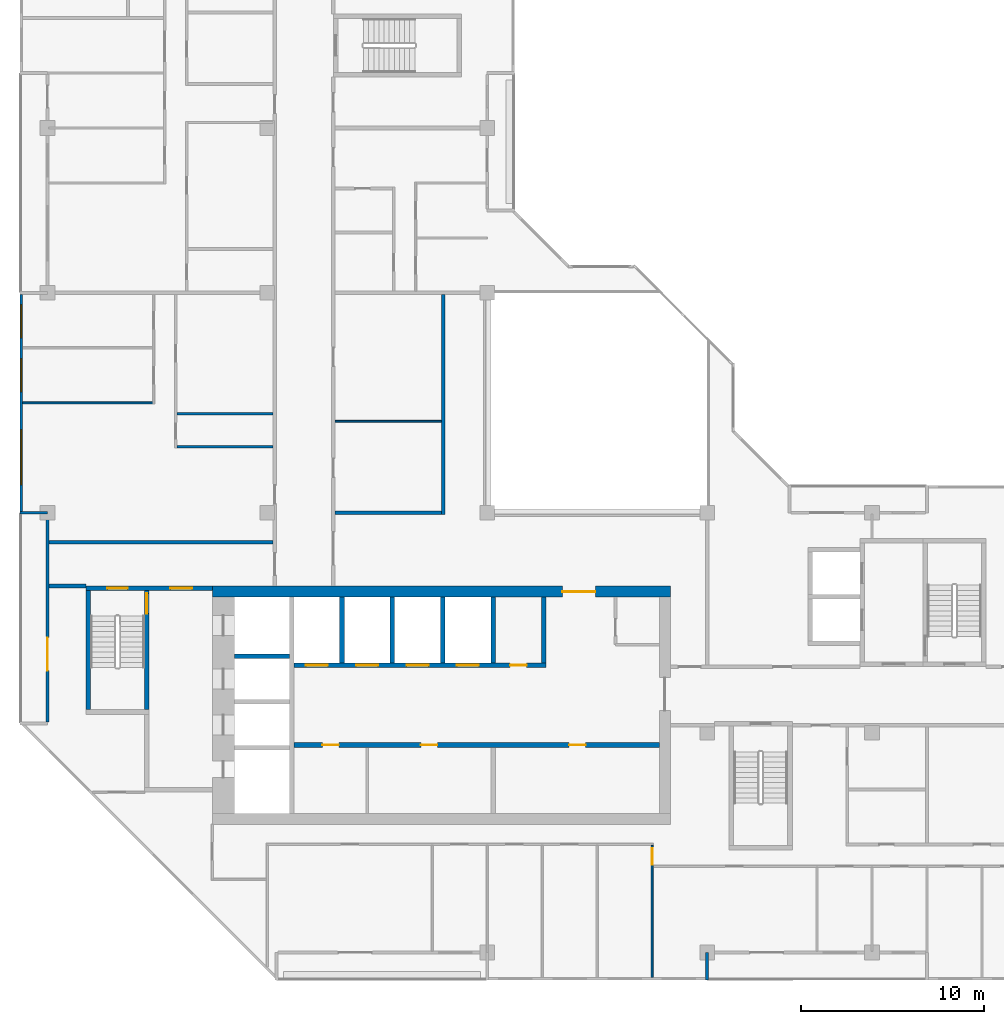
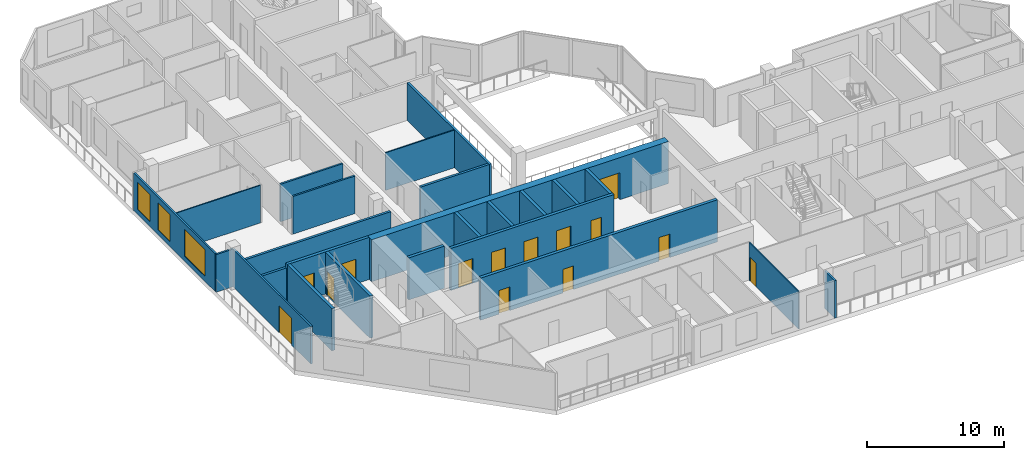
# One storey, part 5 of 13: 25 walls, 14 doors, 3 windows, 17 openings.
"""IFC4 building model written with IfcOpenShell, lengths in metres."""

from ifc_helpers import new_model, si_unit, direction, frame, frame_2d, origin, place, context, subcontext, project, spatial, rectangle, extrude, material, layer, layer_set, type_object, element, fill, save


model = new_model("IFC4")

# Units and contexts
model_context = context("Model", 3, precision=1e-05, world=origin(), true_north=direction((0.0, 1.0)))
body_context = subcontext(model_context, "Body", "Model", "MODEL_VIEW")
ifc_project = project(units=[si_unit("LENGTHUNIT", "METRE"), si_unit("AREAUNIT", "SQUARE_METRE"), si_unit("VOLUMEUNIT", "CUBIC_METRE"), si_unit("PLANEANGLEUNIT", "RADIAN"), si_unit("MASSUNIT", "GRAM", prefix="KILO")], contexts=[model_context])

# Site, building, storey
site_placement = place(None, origin())
site = spatial("IfcSite", under=ifc_project, at=site_placement, CompositionType="ELEMENT")
building_placement = place(site_placement, origin())
building = spatial("IfcBuilding", under=site, at=building_placement, Name="Chenar Terraces", CompositionType="ELEMENT")
storey_placement = place(building_placement, frame((0.0, 0.0, 284.64990234375)))
storey = spatial("IfcBuildingStorey", under=building, at=storey_placement, Name="L66", CompositionType="ELEMENT", Elevation=284.64990234375)

# Wall, openings, doors
ifc_material_1 = material(Name="Concrete C50/60", Category="concrete")
ifc_layer_1 = layer(ifc_material_1, 0.25)
ifc_layer_set_1 = layer_set([ifc_layer_1], Name="Concrete C50/60")
wall_type_1 = type_object("IfcWallType", Name="Core wall 250 Concrete C50/60", PredefinedType="SHEAR", material=ifc_layer_set_1)
wall_1_placement = place(storey_placement, frame((13.449951171875, 11.324951171875, 0.0), z_axis=(0.0, 0.0, 1.0), x_axis=(1.0, 0.0, 0.0)))
wall_1 = element("IfcWall", 1, at=wall_1_placement, inside=storey, type_object=wall_type_1, Name="Core wall SF L66", PredefinedType="SHEAR", context=body_context, shape_type="SweptSolid", body=[
    extrude(rectangle(XDim=19.949951171875, YDim=0.25, at=frame_2d((9.97509765625, 0.0))), origin(), (0.0, 0.0, 1.0), 3.75),
])
opening_1_placement = place(wall_1_placement, frame((1.550048828125, 0.0, 0.0)))
opening_1 = element("IfcOpeningElement", 2, at=opening_1_placement, cuts=wall_1, Name="Opening DL66-C12", PredefinedType="OPENING", context=body_context, shape_type="SweptSolid", body=[
    extrude(rectangle(XDim=0.89990234375, YDim=2.10009765625, at=frame_2d((0.449951171875, 1.050048828125))), frame((0.0, 0.135009765625, 0.0), z_axis=(0.0, -1.0, 0.0), x_axis=(1.0, 0.0, 0.0)), (0.0, 0.0, 1.0), 0.27001953125),
])
opening_2_placement = place(wall_1_placement, frame((6.925048828125, 0.0, 0.0)))
opening_2 = element("IfcOpeningElement", 3, at=opening_2_placement, cuts=wall_1, Name="Opening DL66-C13", PredefinedType="OPENING", context=body_context, shape_type="SweptSolid", body=[
    extrude(rectangle(XDim=0.89990234375, YDim=2.10009765625, at=frame_2d((0.449951171875, 1.050048828125))), frame((0.0, 0.135009765625, 0.0), z_axis=(0.0, -1.0, 0.0), x_axis=(1.0, 0.0, 0.0)), (0.0, 0.0, 1.0), 0.27001953125),
])
opening_3_placement = place(wall_1_placement, frame((15.02490234375, 0.0, 0.0)))
opening_3 = element("IfcOpeningElement", 4, at=opening_3_placement, cuts=wall_1, Name="Opening DL66-C14", PredefinedType="OPENING", context=body_context, shape_type="SweptSolid", body=[
    extrude(rectangle(XDim=0.89990234375, YDim=2.10009765625, at=frame_2d((0.449951171875, 1.050048828125))), frame((0.0, 0.135009765625, 0.0), z_axis=(0.0, -1.0, 0.0), x_axis=(1.0, 0.0, 0.0)), (0.0, 0.0, 1.0), 0.27001953125),
])
ifc_material_2 = material(Name="Steel-framed fire-resisting door leaf", Category="steel")
door_type_1 = type_object("IfcDoorType", Name="Riser fire door FD60 900 x 2100", OperationType="SINGLE_SWING_LEFT", PredefinedType="DOOR", material=ifc_material_2)
door_1_placement = place(opening_1_placement, frame((0.89990234375, 0.0, 0.0), z_axis=(0.0, 0.0, 1.0), x_axis=(-1.0, 0.0, 0.0)))
door_1 = element("IfcDoor", 5, at=door_1_placement, inside=storey, type_object=door_type_1, Name="Core room door DL66-C12", OperationType="SINGLE_SWING_LEFT", OverallHeight=2.10009765625, OverallWidth=0.89990234375, PredefinedType="DOOR", context=body_context, shape_type="SweptSolid", body=[
    extrude(rectangle(XDim=0.89990234375, YDim=2.10009765625, at=frame_2d((0.449951171875, 1.050048828125))), frame((0.0, 0.02490234375, 0.0), z_axis=(0.0, -1.0, 0.0), x_axis=(1.0, 0.0, 0.0)), (0.0, 0.0, 1.0), 0.050048828125),
])
fill(opening_1, door_1)
door_2_placement = place(opening_2_placement, frame((0.89990234375, 0.0, 0.0), z_axis=(0.0, 0.0, 1.0), x_axis=(-1.0, 0.0, 0.0)))
door_2 = element("IfcDoor", 6, at=door_2_placement, inside=storey, type_object=door_type_1, Name="Core room door DL66-C13", OperationType="SINGLE_SWING_RIGHT", OverallHeight=2.10009765625, OverallWidth=0.89990234375, PredefinedType="DOOR", context=body_context, shape_type="SweptSolid", body=[
    extrude(rectangle(XDim=0.89990234375, YDim=2.10009765625, at=frame_2d((0.449951171875, 1.050048828125))), frame((0.0, 0.02490234375, 0.0), z_axis=(0.0, -1.0, 0.0), x_axis=(1.0, 0.0, 0.0)), (0.0, 0.0, 1.0), 0.050048828125),
])
fill(opening_2, door_2)
door_3_placement = place(opening_3_placement, frame((0.89990234375, 0.0, 0.0), z_axis=(0.0, 0.0, 1.0), x_axis=(-1.0, 0.0, 0.0)))
door_3 = element("IfcDoor", 7, at=door_3_placement, inside=storey, type_object=door_type_1, Name="Core room door DL66-C14", OperationType="SINGLE_SWING_LEFT", OverallHeight=2.10009765625, OverallWidth=0.89990234375, PredefinedType="DOOR", context=body_context, shape_type="SweptSolid", body=[
    extrude(rectangle(XDim=0.89990234375, YDim=2.10009765625, at=frame_2d((0.449951171875, 1.050048828125))), frame((0.0, 0.02490234375, 0.0), z_axis=(0.0, -1.0, 0.0), x_axis=(1.0, 0.0, 0.0)), (0.0, 0.0, 1.0), 0.050048828125),
])
fill(opening_3, door_3)

wall_2_placement = place(storey_placement, frame((13.449951171875, 15.675048828125, 0.0), z_axis=(0.0, 0.0, 1.0), x_axis=(1.0, 0.0, 0.0)))
wall_2 = element("IfcWall", 8, at=wall_2_placement, inside=storey, type_object=wall_type_1, Name="Core wall NF L66", PredefinedType="SHEAR", context=body_context, shape_type="SweptSolid", body=[
    extrude(rectangle(XDim=13.75, YDim=0.25, at=frame_2d((6.875, 0.0))), origin(), (0.0, 0.0, 1.0), 3.75),
])
opening_4_placement = place(wall_2_placement, frame((0.64990234375, 0.0, 0.0)))
opening_4 = element("IfcOpeningElement", 9, at=opening_4_placement, cuts=wall_2, Name="Opening DL66-LD1", PredefinedType="OPENING", context=body_context, shape_type="SweptSolid", body=[
    extrude(rectangle(XDim=1.199951171875, YDim=2.199951171875, at=frame_2d((0.60009765625, 1.10009765625))), frame((0.0, 0.135009765625, 0.0), z_axis=(0.0, -1.0, 0.0), x_axis=(1.0, 0.0, 0.0)), (0.0, 0.0, 1.0), 0.27001953125),
])
opening_5_placement = place(wall_2_placement, frame((3.39990234375, 0.0, 0.0)))
opening_5 = element("IfcOpeningElement", 10, at=opening_5_placement, cuts=wall_2, Name="Opening DL66-LD2", PredefinedType="OPENING", context=body_context, shape_type="SweptSolid", body=[
    extrude(rectangle(XDim=1.199951171875, YDim=2.199951171875, at=frame_2d((0.60009765625, 1.10009765625))), frame((0.0, 0.135009765625, 0.0), z_axis=(0.0, -1.0, 0.0), x_axis=(1.0, 0.0, 0.0)), (0.0, 0.0, 1.0), 0.27001953125),
])
opening_6_placement = place(wall_2_placement, frame((6.14990234375, 0.0, 0.0)))
opening_6 = element("IfcOpeningElement", 11, at=opening_6_placement, cuts=wall_2, Name="Opening DL66-LD3", PredefinedType="OPENING", context=body_context, shape_type="SweptSolid", body=[
    extrude(rectangle(XDim=1.199951171875, YDim=2.199951171875, at=frame_2d((0.60009765625, 1.10009765625))), frame((0.0, 0.135009765625, 0.0), z_axis=(0.0, -1.0, 0.0), x_axis=(1.0, 0.0, 0.0)), (0.0, 0.0, 1.0), 0.27001953125),
])
opening_7_placement = place(wall_2_placement, frame((8.89990234375, 0.0, 0.0)))
opening_7 = element("IfcOpeningElement", 12, at=opening_7_placement, cuts=wall_2, Name="Opening DL66-LD4", PredefinedType="OPENING", context=body_context, shape_type="SweptSolid", body=[
    extrude(rectangle(XDim=1.199951171875, YDim=2.199951171875, at=frame_2d((0.60009765625, 1.10009765625))), frame((0.0, 0.135009765625, 0.0), z_axis=(0.0, -1.0, 0.0), x_axis=(1.0, 0.0, 0.0)), (0.0, 0.0, 1.0), 0.27001953125),
])
opening_8_placement = place(wall_2_placement, frame((11.800048828125, 0.0, 0.0)))
opening_8 = element("IfcOpeningElement", 13, at=opening_8_placement, cuts=wall_2, Name="Opening DL66-C15", PredefinedType="OPENING", context=body_context, shape_type="SweptSolid", body=[
    extrude(rectangle(XDim=0.89990234375, YDim=2.10009765625, at=frame_2d((0.449951171875, 1.050048828125))), frame((0.0, 0.135009765625, 0.0), z_axis=(0.0, -1.0, 0.0), x_axis=(1.0, 0.0, 0.0)), (0.0, 0.0, 1.0), 0.27001953125),
])
ifc_material_3 = material(Name="Stainless steel", Category="steel")
door_type_2 = type_object("IfcDoorType", Name="Lift landing door 1200 x 2200 sliding", OperationType="DOUBLE_DOOR_SLIDING", PredefinedType="DOOR", material=ifc_material_3)
door_4_placement = place(opening_4_placement, origin())
door_4 = element("IfcDoor", 14, at=door_4_placement, inside=storey, type_object=door_type_2, Name="Landing door H1", OperationType="DOUBLE_DOOR_SLIDING", OverallHeight=2.199951171875, OverallWidth=1.199951171875, PredefinedType="DOOR", context=body_context, shape_type="SweptSolid", body=[
    extrude(rectangle(XDim=1.199951171875, YDim=2.199951171875, at=frame_2d((0.60009765625, 1.10009765625))), frame((0.0, 0.02490234375, 0.0), z_axis=(0.0, -1.0, 0.0), x_axis=(1.0, 0.0, 0.0)), (0.0, 0.0, 1.0), 0.050048828125),
])
fill(opening_4, door_4)
door_5_placement = place(opening_5_placement, origin())
door_5 = element("IfcDoor", 15, at=door_5_placement, inside=storey, type_object=door_type_2, Name="Landing door H2", OperationType="DOUBLE_DOOR_SLIDING", OverallHeight=2.199951171875, OverallWidth=1.199951171875, PredefinedType="DOOR", context=body_context, shape_type="SweptSolid", body=[
    extrude(rectangle(XDim=1.199951171875, YDim=2.199951171875, at=frame_2d((0.60009765625, 1.10009765625))), frame((0.0, 0.02490234375, 0.0), z_axis=(0.0, -1.0, 0.0), x_axis=(1.0, 0.0, 0.0)), (0.0, 0.0, 1.0), 0.050048828125),
])
fill(opening_5, door_5)
door_6_placement = place(opening_6_placement, origin())
door_6 = element("IfcDoor", 16, at=door_6_placement, inside=storey, type_object=door_type_2, Name="Landing door H3", OperationType="DOUBLE_DOOR_SLIDING", OverallHeight=2.199951171875, OverallWidth=1.199951171875, PredefinedType="DOOR", context=body_context, shape_type="SweptSolid", body=[
    extrude(rectangle(XDim=1.199951171875, YDim=2.199951171875, at=frame_2d((0.60009765625, 1.10009765625))), frame((0.0, 0.02490234375, 0.0), z_axis=(0.0, -1.0, 0.0), x_axis=(1.0, 0.0, 0.0)), (0.0, 0.0, 1.0), 0.050048828125),
])
fill(opening_6, door_6)
door_7_placement = place(opening_7_placement, origin())
door_7 = element("IfcDoor", 17, at=door_7_placement, inside=storey, type_object=door_type_2, Name="Landing door H4", OperationType="DOUBLE_DOOR_SLIDING", OverallHeight=2.199951171875, OverallWidth=1.199951171875, PredefinedType="DOOR", context=body_context, shape_type="SweptSolid", body=[
    extrude(rectangle(XDim=1.199951171875, YDim=2.199951171875, at=frame_2d((0.60009765625, 1.10009765625))), frame((0.0, 0.02490234375, 0.0), z_axis=(0.0, -1.0, 0.0), x_axis=(1.0, 0.0, 0.0)), (0.0, 0.0, 1.0), 0.050048828125),
])
fill(opening_7, door_7)
door_8_placement = place(opening_8_placement, origin())
door_8 = element("IfcDoor", 18, at=door_8_placement, inside=storey, type_object=door_type_1, Name="Core room door DL66-C15", OperationType="SINGLE_SWING_RIGHT", OverallHeight=2.10009765625, OverallWidth=0.89990234375, PredefinedType="DOOR", context=body_context, shape_type="SweptSolid", body=[
    extrude(rectangle(XDim=0.89990234375, YDim=2.10009765625, at=frame_2d((0.449951171875, 1.050048828125))), frame((0.0, 0.02490234375, 0.0), z_axis=(0.0, -1.0, 0.0), x_axis=(1.0, 0.0, 0.0)), (0.0, 0.0, 1.0), 0.050048828125),
])
fill(opening_8, door_8)

# Walls
wall_3_placement = place(storey_placement, frame((10.199951171875, 16.175048828125, 0.0), z_axis=(0.0, 0.0, 1.0), x_axis=(1.0, 0.0, 0.0)))
element("IfcWall", 19, at=wall_3_placement, inside=storey, type_object=wall_type_1, Name="Core wall HW2 L66", PredefinedType="SHEAR", context=body_context, shape_type="SweptSolid", body=[
    extrude(rectangle(XDim=3.0, YDim=0.25, at=frame_2d((1.5, 0.0))), origin(), (0.0, 0.0, 1.0), 3.75),
])
for number, where, z_axis, x_axis, name in (
    (20, (16.074951171875, 15.800048828125, 0.0), (0.0, 0.0, 1.0), (0.0, 1.0, 0.0), "Core wall NS0 L66"),
    (21, (18.824951171875, 15.800048828125, 0.0), (0.0, 0.0, 1.0), (0.0, 1.0, 0.0), "Core wall NS1 L66"),
    (22, (21.574951171875, 15.800048828125, 0.0), (0.0, 0.0, 1.0), (0.0, 1.0, 0.0), "Core wall NS2 L66"),
    (23, (24.324951171875, 15.800048828125, 0.0), (0.0, 0.0, 1.0), (0.0, 1.0, 0.0), "Core wall NS3 L66"),
    (24, (27.074951171875, 15.800048828125, 0.0), (0.0, 0.0, 1.0), (0.0, 1.0, 0.0), "Core wall NE L66"),
):
    element("IfcWall", number, at=place(storey_placement, frame(where, z_axis=z_axis, x_axis=x_axis)), inside=storey, type_object=wall_type_1, Name=name, PredefinedType="SHEAR", context=body_context, shape_type="SweptSolid", body=[
        extrude(rectangle(XDim=3.599853515625, YDim=0.25, at=frame_2d((1.7998046875, 0.0))), origin(), (0.0, 0.0, 1.0), 3.75),
    ])

# Wall, openings, doors
wall_4_placement = place(storey_placement, frame((2.10009765625, 19.875, 0.0), z_axis=(0.0, 0.0, 1.0), x_axis=(1.0, 0.0, 0.0)))
wall_4 = element("IfcWall", 25, at=wall_4_placement, inside=storey, type_object=wall_type_1, Name="Core wall A_N L66", PredefinedType="SHEAR", context=body_context, shape_type="SweptSolid", body=[
    extrude(rectangle(XDim=6.89990234375, YDim=0.25, at=frame_2d((3.449951171875, 0.0))), origin(), (0.0, 0.0, 1.0), 3.75),
])
opening_9_placement = place(wall_4_placement, frame((1.175048828125, 0.0, 0.0)))
opening_9 = element("IfcOpeningElement", 26, at=opening_9_placement, cuts=wall_4, Name="Opening DL66-C5", PredefinedType="OPENING", context=body_context, shape_type="SweptSolid", body=[
    extrude(rectangle(XDim=1.10009765625, YDim=2.199951171875, at=frame_2d((0.550048828125, 1.10009765625))), frame((0.0, 0.135009765625, 0.0), z_axis=(0.0, -1.0, 0.0), x_axis=(1.0, 0.0, 0.0)), (0.0, 0.0, 1.0), 0.27001953125),
])
opening_10_placement = place(wall_4_placement, frame((4.60009765625, 0.0, 0.0)))
opening_10 = element("IfcOpeningElement", 27, at=opening_10_placement, cuts=wall_4, Name="Opening DL66-C6", PredefinedType="OPENING", context=body_context, shape_type="SweptSolid", body=[
    extrude(rectangle(XDim=1.199951171875, YDim=2.199951171875, at=frame_2d((0.60009765625, 1.10009765625))), frame((0.0, 0.135009765625, 0.0), z_axis=(0.0, -1.0, 0.0), x_axis=(1.0, 0.0, 0.0)), (0.0, 0.0, 1.0), 0.27001953125),
])
ifc_material_4 = material(Name="Steel-framed fire-resisting door leaf", Category="steel")
door_type_3 = type_object("IfcDoorType", Name="Lobby fire door FD60 1200 x 2200", OperationType="SINGLE_SWING_LEFT", PredefinedType="DOOR", material=ifc_material_4)
door_9_placement = place(opening_10_placement, frame((1.199951171875, 0.0, 0.0), z_axis=(0.0, 0.0, 1.0), x_axis=(-1.0, 0.0, 0.0)))
door_9 = element("IfcDoor", 28, at=door_9_placement, inside=storey, type_object=door_type_3, Name="Core door DL66-C6", OperationType="SINGLE_SWING_LEFT", OverallHeight=2.199951171875, OverallWidth=1.199951171875, PredefinedType="DOOR", context=body_context, shape_type="SweptSolid", body=[
    extrude(rectangle(XDim=1.199951171875, YDim=2.199951171875, at=frame_2d((0.60009765625, 1.10009765625))), frame((0.0, 0.02490234375, 0.0), z_axis=(0.0, -1.0, 0.0), x_axis=(1.0, 0.0, 0.0)), (0.0, 0.0, 1.0), 0.050048828125),
])
fill(opening_10, door_9)
ifc_material_5 = material(Name="Steel-framed fire-resisting door leaf", Category="steel")
door_type_4 = type_object("IfcDoorType", Name="Stair fire door FD60 1100 x 2200", OperationType="SINGLE_SWING_LEFT", PredefinedType="DOOR", material=ifc_material_5)
door_10_placement = place(opening_9_placement, origin())
door_10 = element("IfcDoor", 29, at=door_10_placement, inside=storey, type_object=door_type_4, Name="Stair door DL66-C5", OperationType="SINGLE_SWING_LEFT", OverallHeight=2.199951171875, OverallWidth=1.10009765625, PredefinedType="DOOR", context=body_context, shape_type="SweptSolid", body=[
    extrude(rectangle(XDim=1.10009765625, YDim=2.199951171875, at=frame_2d((0.550048828125, 1.10009765625))), frame((0.0, 0.02490234375, 0.0), z_axis=(0.0, -1.0, 0.0), x_axis=(1.0, 0.0, 0.0)), (0.0, 0.0, 1.0), 0.050048828125),
])
fill(opening_9, door_10)

# Wall
wall_5_placement = place(storey_placement, frame((2.22509765625, 13.25, 0.0), z_axis=(0.0, 0.0, 1.0), x_axis=(0.0, 1.0, 0.0)))
element("IfcWall", 30, at=wall_5_placement, inside=storey, type_object=wall_type_1, Name="Core wall ST1_W L66", PredefinedType="SHEAR", context=body_context, shape_type="SweptSolid", body=[
    extrude(rectangle(XDim=6.5, YDim=0.25, at=frame_2d((3.25, 0.0))), origin(), (0.0, 0.0, 1.0), 3.75),
])

# Wall, opening, door
wall_6_placement = place(storey_placement, frame((5.425048828125, 13.25, 0.0), z_axis=(0.0, 0.0, 1.0), x_axis=(0.0, 1.0, 0.0)))
wall_6 = element("IfcWall", 31, at=wall_6_placement, inside=storey, type_object=wall_type_1, Name="Core wall ST1_E L66", PredefinedType="SHEAR", context=body_context, shape_type="SweptSolid", body=[
    extrude(rectangle(XDim=6.5, YDim=0.25, at=frame_2d((3.25, 0.0))), origin(), (0.0, 0.0, 1.0), 3.75),
])
opening_11_placement = place(wall_6_placement, frame((5.25, 0.0, 0.0)))
opening_11 = element("IfcOpeningElement", 32, at=opening_11_placement, cuts=wall_6, Name="Opening DL66-C3", PredefinedType="OPENING", context=body_context, shape_type="SweptSolid", body=[
    extrude(rectangle(XDim=1.10009765625, YDim=2.199951171875, at=frame_2d((0.550048828125, 1.10009765625))), frame((0.0, 0.135009765625, 0.0), z_axis=(0.0, -1.0, 0.0), x_axis=(1.0, 0.0, 0.0)), (0.0, 0.0, 1.0), 0.27001953125),
])
door_11_placement = place(opening_11_placement, origin())
door_11 = element("IfcDoor", 33, at=door_11_placement, inside=storey, type_object=door_type_4, Name="Stair door DL66-C3", OperationType="SINGLE_SWING_RIGHT", OverallHeight=2.199951171875, OverallWidth=1.10009765625, PredefinedType="DOOR", context=body_context, shape_type="SweptSolid", body=[
    extrude(rectangle(XDim=1.10009765625, YDim=2.199951171875, at=frame_2d((0.550048828125, 1.10009765625))), frame((0.0, 0.02490234375, 0.0), z_axis=(0.0, -1.0, 0.0), x_axis=(1.0, 0.0, 0.0)), (0.0, 0.0, 1.0), 0.050048828125),
])
fill(opening_11, door_11)

ifc_material_6 = material(Name="Concrete C50/60", Category="concrete")
ifc_layer_2 = layer(ifc_material_6, 0.60009765625)
ifc_layer_set_2 = layer_set([ifc_layer_2], Name="Concrete C50/60")
wall_type_2 = type_object("IfcWallType", Name="Core wall 600 Concrete C50/60", PredefinedType="SHEAR", material=ifc_layer_set_2)
wall_7_placement = place(storey_placement, frame((9.0, 19.699951171875, 0.0), z_axis=(0.0, 0.0, 1.0), x_axis=(1.0, 0.0, 0.0)))
wall_7 = element("IfcWall", 34, at=wall_7_placement, inside=storey, type_object=wall_type_2, Name="Core wall N L66", PredefinedType="SHEAR", context=body_context, shape_type="SweptSolid", body=[
    extrude(rectangle(XDim=25.0, YDim=0.60009765625, at=frame_2d((12.5, 0.0))), origin(), (0.0, 0.0, 1.0), 3.75),
])
opening_12_placement = place(wall_7_placement, frame((19.10009765625, 0.0, 0.0)))
opening_12 = element("IfcOpeningElement", 35, at=opening_12_placement, cuts=wall_7, Name="Opening DL66-C2", PredefinedType="OPENING", context=body_context, shape_type="SweptSolid", body=[
    extrude(rectangle(XDim=1.800048828125, YDim=2.39990234375, at=frame_2d((0.89990234375, 1.199951171875))), frame((0.0, 0.31005859375, 0.0), z_axis=(0.0, -1.0, 0.0), x_axis=(1.0, 0.0, 0.0)), (0.0, 0.0, 1.0), 0.6201171875),
])
ifc_material_7 = material(Name="Steel-framed fire-resisting door leaf", Category="steel")
door_type_5 = type_object("IfcDoorType", Name="Core entrance double fire door FD60 1800 x 2400", OperationType="DOUBLE_DOOR_SINGLE_SWING", PredefinedType="DOOR", material=ifc_material_7)
door_12_placement = place(opening_12_placement, frame((1.800048828125, 0.0, 0.0), z_axis=(0.0, 0.0, 1.0), x_axis=(-1.0, 0.0, 0.0)))
door_12 = element("IfcDoor", 36, at=door_12_placement, inside=storey, type_object=door_type_5, Name="Core door DL66-C2", OperationType="DOUBLE_DOOR_SINGLE_SWING", OverallHeight=2.39990234375, OverallWidth=1.800048828125, PredefinedType="DOOR", context=body_context, shape_type="SweptSolid", body=[
    extrude(rectangle(XDim=1.800048828125, YDim=2.39990234375, at=frame_2d((0.89990234375, 1.199951171875))), frame((0.0, 0.02490234375, 0.0), z_axis=(0.0, -1.0, 0.0), x_axis=(1.0, 0.0, 0.0)), (0.0, 0.0, 1.0), 0.050048828125),
])
fill(opening_12, door_12)

# Walls
ifc_material_8 = material(Name="Gypsum board on steel studs with fire boards", Category="steel")
ifc_layer_3 = layer(ifc_material_8, 0.199951171875)
ifc_layer_set_3 = layer_set([ifc_layer_3], Name="Gypsum board on steel studs with fire boards")
wall_type_3 = type_object("IfcWallType", Name="Corridor wall 200", PredefinedType="PARTITIONING", material=ifc_layer_set_3)
wall_8_placement = place(storey_placement, frame((0.073974609375, 20.0, 0.0), z_axis=(0.0, 0.0, 1.0), x_axis=(1.0, 0.0, 0.0)))
element("IfcWall", 37, at=wall_8_placement, inside=storey, type_object=wall_type_3, Name="Partition L66-006", PredefinedType="PARTITIONING", context=body_context, shape_type="SweptSolid", body=[
    extrude(rectangle(XDim=2.026123046875, YDim=0.199951171875, at=frame_2d((1.01318359375, 0.0))), origin(), (0.0, 0.0, 1.0), 3.35009765625),
])
wall_9_placement = place(storey_placement, frame((0.073974609375, 22.39990234375, 0.0), z_axis=(0.0, 0.0, 1.0), x_axis=(1.0, 0.0, 0.0)))
element("IfcWall", 38, at=wall_9_placement, inside=storey, type_object=wall_type_3, Name="Partition L66-007", PredefinedType="PARTITIONING", context=body_context, shape_type="SweptSolid", body=[
    extrude(rectangle(XDim=12.22607421875, YDim=0.199951171875, at=frame_2d((6.113037109375, 0.0))), origin(), (0.0, 0.0, 1.0), 3.35009765625),
])
wall_10_placement = place(storey_placement, frame((15.699951171875, 24.0, 0.0), z_axis=(0.0, 0.0, 1.0), x_axis=(1.0, 0.0, 0.0)))
element("IfcWall", 39, at=wall_10_placement, inside=storey, type_object=wall_type_3, Name="Partition L66-031", PredefinedType="PARTITIONING", context=body_context, shape_type="SweptSolid", body=[
    extrude(rectangle(XDim=5.800048828125, YDim=0.199951171875, at=frame_2d((2.89990234375, 0.0))), origin(), (0.0, 0.0, 1.0), 3.35009765625),
])
wall_11_placement = place(storey_placement, frame((21.60009765625, 23.89990234375, 0.0), z_axis=(0.0, 0.0, 1.0), x_axis=(0.0, 1.0, 0.0)))
element("IfcWall", 40, at=wall_11_placement, inside=storey, type_object=wall_type_3, Name="Partition L66-042", PredefinedType="PARTITIONING", context=body_context, shape_type="SweptSolid", body=[
    extrude(rectangle(XDim=12.0, YDim=0.199951171875, at=frame_2d((6.0, 0.0))), origin(), (0.0, 0.0, 1.0), 3.35009765625),
])

# Wall, openings, windows
ifc_material_9 = material(Name="Aluminium framed glazing", Category="aluminium")
ifc_layer_4 = layer(ifc_material_9, 0.14990234375)
ifc_layer_set_4 = layer_set([ifc_layer_4], Name="Aluminium framed glazing")
wall_type_4 = type_object("IfcWallType", Name="Glazed flush facade wall 150", PredefinedType="SOLIDWALL", material=ifc_layer_set_4)
wall_12_placement = place(storey_placement, frame((-1.425048828125, 35.925048828125, 0.0), z_axis=(0.0, 0.0, 1.0), x_axis=(0.0, -1.0, 0.0)))
wall_12 = element("IfcWall", 41, at=wall_12_placement, inside=storey, type_object=wall_type_4, Name="Glazed flush facade wall", PredefinedType="SOLIDWALL", context=body_context, shape_type="SweptSolid", body=[
    extrude(rectangle(XDim=11.85009765625, YDim=0.14990234375, at=frame_2d((5.925048828125, 0.0))), origin(), (0.0, 0.0, 1.0), 3.35009765625),
])
opening_13_placement = place(wall_12_placement, frame((0.5625, 0.0, 0.449951171875)))
opening_13 = element("IfcOpeningElement", 42, at=opening_13_placement, cuts=wall_12, Name="Opening W180x240", PredefinedType="OPENING", context=body_context, shape_type="SweptSolid", body=[
    extrude(rectangle(XDim=1.800048828125, YDim=2.39990234375, at=frame_2d((0.89990234375, 1.199951171875))), frame((0.0, 0.0849609375, 0.0), z_axis=(0.0, -1.0, 0.0), x_axis=(1.0, 0.0, 0.0)), (0.0, 0.0, 1.0), 0.169921875),
])
opening_14_placement = place(wall_12_placement, frame((3.52490234375, 0.0, 0.449951171875)))
opening_14 = element("IfcOpeningElement", 43, at=opening_14_placement, cuts=wall_12, Name="Opening W180x240", PredefinedType="OPENING", context=body_context, shape_type="SweptSolid", body=[
    extrude(rectangle(XDim=1.800048828125, YDim=2.39990234375, at=frame_2d((0.89990234375, 1.199951171875))), frame((0.0, 0.0849609375, 0.0), z_axis=(0.0, -1.0, 0.0), x_axis=(1.0, 0.0, 0.0)), (0.0, 0.0, 1.0), 0.169921875),
])
opening_15_placement = place(wall_12_placement, frame((7.387451171875, 0.0, 0.449951171875)))
opening_15 = element("IfcOpeningElement", 44, at=opening_15_placement, cuts=wall_12, Name="Opening W300x240", PredefinedType="OPENING", context=body_context, shape_type="SweptSolid", body=[
    extrude(rectangle(XDim=3.0, YDim=2.39990234375, at=frame_2d((1.5, 1.199951171875))), frame((0.0, 0.0849609375, 0.0), z_axis=(0.0, -1.0, 0.0), x_axis=(1.0, 0.0, 0.0)), (0.0, 0.0, 1.0), 0.169921875),
])
ifc_material_10 = material(Name="Low emissivity double glazing, aluminium frame", Category="aluminium")
window_type_1 = type_object("IfcWindowType", Name="Fixed light 1800 x 2400", PartitioningType="SINGLE_PANEL", PredefinedType="WINDOW", material=ifc_material_10)
window_1_placement = place(opening_13_placement, origin())
window_1 = element("IfcWindow", 45, at=window_1_placement, inside=storey, type_object=window_type_1, Name="Window", OverallHeight=2.39990234375, OverallWidth=1.800048828125, PartitioningType="SINGLE_PANEL", PredefinedType="WINDOW", context=body_context, shape_type="SweptSolid", body=[
    extrude(rectangle(XDim=1.800048828125, YDim=2.39990234375, at=frame_2d((0.89990234375, 1.199951171875))), frame((0.0, 0.030029296875, 0.0), z_axis=(0.0, -1.0, 0.0), x_axis=(1.0, 0.0, 0.0)), (0.0, 0.0, 1.0), 0.06005859375),
])
fill(opening_13, window_1)
window_2_placement = place(opening_14_placement, origin())
window_2 = element("IfcWindow", 46, at=window_2_placement, inside=storey, type_object=window_type_1, Name="Window", OverallHeight=2.39990234375, OverallWidth=1.800048828125, PartitioningType="SINGLE_PANEL", PredefinedType="WINDOW", context=body_context, shape_type="SweptSolid", body=[
    extrude(rectangle(XDim=1.800048828125, YDim=2.39990234375, at=frame_2d((0.89990234375, 1.199951171875))), frame((0.0, 0.030029296875, 0.0), z_axis=(0.0, -1.0, 0.0), x_axis=(1.0, 0.0, 0.0)), (0.0, 0.0, 1.0), 0.06005859375),
])
fill(opening_14, window_2)
ifc_material_11 = material(Name="Low emissivity double glazing, aluminium frame", Category="aluminium")
window_type_2 = type_object("IfcWindowType", Name="Fixed light 3000 x 2400", PartitioningType="SINGLE_PANEL", PredefinedType="WINDOW", material=ifc_material_11)
window_3_placement = place(opening_15_placement, origin())
window_3 = element("IfcWindow", 47, at=window_3_placement, inside=storey, type_object=window_type_2, Name="Window", OverallHeight=2.39990234375, OverallWidth=3.0, PartitioningType="SINGLE_PANEL", PredefinedType="WINDOW", context=body_context, shape_type="SweptSolid", body=[
    extrude(rectangle(XDim=3.0, YDim=2.39990234375, at=frame_2d((1.5, 1.199951171875))), frame((0.0, 0.030029296875, 0.0), z_axis=(0.0, -1.0, 0.0), x_axis=(1.0, 0.0, 0.0)), (0.0, 0.0, 1.0), 0.06005859375),
])
fill(opening_15, window_3)

# Wall, opening, door
ifc_material_12 = material(Name="Aluminium framed glazing", Category="aluminium")
ifc_layer_5 = layer(ifc_material_12, 0.14990234375)
ifc_layer_set_5 = layer_set([ifc_layer_5], Name="Aluminium framed glazing")
wall_type_5 = type_object("IfcWallType", Name="Glazed loggia back wall 150", PredefinedType="SOLIDWALL", material=ifc_layer_set_5)
wall_13_placement = place(storey_placement, frame((0.0, 23.925048828125, 0.0), z_axis=(0.0, 0.0, 1.0), x_axis=(0.0, -1.0, 0.0)))
wall_13 = element("IfcWall", 48, at=wall_13_placement, inside=storey, type_object=wall_type_5, Name="Glazed loggia back wall", PredefinedType="SOLIDWALL", context=body_context, shape_type="SweptSolid", body=[
    extrude(rectangle(XDim=11.35009765625, YDim=0.14990234375, at=frame_2d((5.675048828125, 0.0))), origin(), (0.0, 0.0, 1.0), 3.35009765625),
])
opening_16_placement = place(wall_13_placement, frame((6.737548828125, 0.0, 0.0)))
opening_16 = element("IfcOpeningElement", 49, at=opening_16_placement, cuts=wall_13, Name="Opening DL66-G4", PredefinedType="OPENING", context=body_context, shape_type="SweptSolid", body=[
    extrude(rectangle(XDim=1.800048828125, YDim=2.39990234375, at=frame_2d((0.89990234375, 1.199951171875))), frame((0.0, 0.0849609375, 0.0), z_axis=(0.0, -1.0, 0.0), x_axis=(1.0, 0.0, 0.0)), (0.0, 0.0, 1.0), 0.169921875),
])
ifc_material_13 = material(Name="Low emissivity double glazing, aluminium frame", Category="aluminium")
door_type_6 = type_object("IfcDoorType", Name="Loggia glazed double door 1800 x 2400", OperationType="DOUBLE_DOOR_SINGLE_SWING", PredefinedType="DOOR", material=ifc_material_13)
door_13_placement = place(opening_16_placement, frame((1.800048828125, 0.0, 0.0), z_axis=(0.0, 0.0, 1.0), x_axis=(-1.0, 0.0, 0.0)))
door_13 = element("IfcDoor", 50, at=door_13_placement, inside=storey, type_object=door_type_6, Name="Loggia glazed door", OperationType="DOUBLE_DOOR_SINGLE_SWING", OverallHeight=2.39990234375, OverallWidth=1.800048828125, PredefinedType="DOOR", context=body_context, shape_type="SweptSolid", body=[
    extrude(rectangle(XDim=1.800048828125, YDim=2.39990234375, at=frame_2d((0.89990234375, 1.199951171875))), frame((0.0, 0.02490234375, 0.0), z_axis=(0.0, -1.0, 0.0), x_axis=(1.0, 0.0, 0.0)), (0.0, 0.0, 1.0), 0.050048828125),
])
fill(opening_16, door_13)

# Walls
ifc_material_14 = material(Name="Gypsum board on steel studs", Category="steel")
ifc_layer_6 = layer(ifc_material_14, 0.10009765625)
ifc_layer_set_6 = layer_set([ifc_layer_6], Name="Gypsum board on steel studs")
wall_type_6 = type_object("IfcWallType", Name="Gypsum partition 100", PredefinedType="PARTITIONING", material=ifc_layer_set_6)
wall_14_placement = place(storey_placement, frame((-1.35009765625, 30.0, 0.0), z_axis=(0.0, 0.0, 1.0), x_axis=(1.0, 0.0, 0.0)))
element("IfcWall", 51, at=wall_14_placement, inside=storey, type_object=wall_type_6, Name="Partition L66-003", PredefinedType="PARTITIONING", context=body_context, shape_type="SweptSolid", body=[
    extrude(rectangle(XDim=7.10009765625, YDim=0.10009765625, at=frame_2d((3.550048828125, 0.0))), origin(), (0.0, 0.0, 1.0), 3.35009765625),
])
wall_15_placement = place(storey_placement, frame((15.699951171875, 29.0, 0.0), z_axis=(0.0, 0.0, 1.0), x_axis=(1.0, 0.0, 0.0)))
element("IfcWall", 52, at=wall_15_placement, inside=storey, type_object=wall_type_6, Name="Partition L66-032", PredefinedType="PARTITIONING", context=body_context, shape_type="SweptSolid", body=[
    extrude(rectangle(XDim=5.800048828125, YDim=0.10009765625, at=frame_2d((2.89990234375, 0.0))), origin(), (0.0, 0.0, 1.0), 3.35009765625),
])

# Wall, opening, door
wall_16_placement = place(storey_placement, frame((33.0, -1.35009765625, 0.0), z_axis=(0.0, 0.0, 1.0), x_axis=(0.0, 1.0, 0.0)))
wall_16 = element("IfcWall", 53, at=wall_16_placement, inside=storey, type_object=wall_type_6, Name="Partition L66-046", PredefinedType="PARTITIONING", context=body_context, shape_type="SweptSolid", body=[
    extrude(rectangle(XDim=7.2001953125, YDim=0.10009765625, at=frame_2d((3.60009765625, 0.0))), origin(), (0.0, 0.0, 1.0), 3.35009765625),
])
opening_17_placement = place(wall_16_placement, frame((6.14990234375, 0.0, 0.0)))
opening_17 = element("IfcOpeningElement", 54, at=opening_17_placement, cuts=wall_16, Name="Opening DL66-37", PredefinedType="OPENING", context=body_context, shape_type="SweptSolid", body=[
    extrude(rectangle(XDim=0.89990234375, YDim=2.10009765625, at=frame_2d((0.449951171875, 1.050048828125))), frame((0.0, 0.06005859375, 0.0), z_axis=(0.0, -1.0, 0.0), x_axis=(1.0, 0.0, 0.0)), (0.0, 0.0, 1.0), 0.1201171875),
])
ifc_material_15 = material(Name="Veneered timber door leaf", Category="wood")
door_type_7 = type_object("IfcDoorType", Name="Door 900 x 2100", OperationType="SINGLE_SWING_LEFT", PredefinedType="DOOR", material=ifc_material_15)
door_14_placement = place(opening_17_placement, origin())
door_14 = element("IfcDoor", 55, at=door_14_placement, inside=storey, type_object=door_type_7, Name="Door DL66-37", OperationType="SINGLE_SWING_RIGHT", OverallHeight=2.10009765625, OverallWidth=0.89990234375, PredefinedType="DOOR", context=body_context, shape_type="SweptSolid", body=[
    extrude(rectangle(XDim=0.89990234375, YDim=2.10009765625, at=frame_2d((0.449951171875, 1.050048828125))), frame((0.0, 0.02490234375, 0.0), z_axis=(0.0, -1.0, 0.0), x_axis=(1.0, 0.0, 0.0)), (0.0, 0.0, 1.0), 0.050048828125),
])
fill(opening_17, door_14)

# Walls
ifc_material_16 = material(Name="Terracotta cladding on insulated backing", Category="masonry")
ifc_layer_7 = layer(ifc_material_16, 0.14990234375)
ifc_layer_set_7 = layer_set([ifc_layer_7], Name="Terracotta cladding on insulated backing")
wall_type_7 = type_object("IfcWallType", Name="Loggia return wall 150", PredefinedType="SOLIDWALL", material=ifc_layer_set_7)
for number, where, z_axis, x_axis, name in (
    (56, (-1.5, 24.0, 0.0), (0.0, 0.0, 1.0), (1.0, 0.0, 0.0), "Loggia return wall"),
    (57, (36.0, -1.5, 0.0), (0.0, 0.0, 1.0), (0.0, 1.0, 0.0), "Loggia return wall"),
):
    element("IfcWall", number, at=place(storey_placement, frame(where, z_axis=z_axis, x_axis=x_axis)), inside=storey, type_object=wall_type_7, Name=name, PredefinedType="SOLIDWALL", context=body_context, shape_type="SweptSolid", body=[
        extrude(rectangle(XDim=1.5, YDim=0.14990234375, at=frame_2d((0.75, 0.0))), origin(), (0.0, 0.0, 1.0), 3.35009765625),
    ])
ifc_material_17 = material(Name="Moisture-resistant gypsum board on steel studs", Category="steel")
ifc_layer_8 = layer(ifc_material_17, 0.14990234375)
ifc_layer_set_8 = layer_set([ifc_layer_8], Name="Moisture-resistant gypsum board on steel studs")
wall_type_8 = type_object("IfcWallType", Name="Wet-room partition 150", PredefinedType="PARTITIONING", material=ifc_layer_set_8)
for number, where, z_axis, x_axis, name in (
    (58, (7.074951171875, 27.60009765625, 0.0), (0.0, 0.0, 1.0), (1.0, 0.0, 0.0), "Partition L66-016"),
    (59, (7.074951171875, 29.39990234375, 0.0), (0.0, 0.0, 1.0), (1.0, 0.0, 0.0), "Partition L66-017"),
):
    element("IfcWall", number, at=place(storey_placement, frame(where, z_axis=z_axis, x_axis=x_axis)), inside=storey, type_object=wall_type_8, Name=name, PredefinedType="PARTITIONING", context=body_context, shape_type="SweptSolid", body=[
        extrude(rectangle(XDim=5.22509765625, YDim=0.14990234375, at=frame_2d((2.612548828125, 0.0))), origin(), (0.0, 0.0, 1.0), 3.35009765625),
    ])

save(model, "model.ifc")
